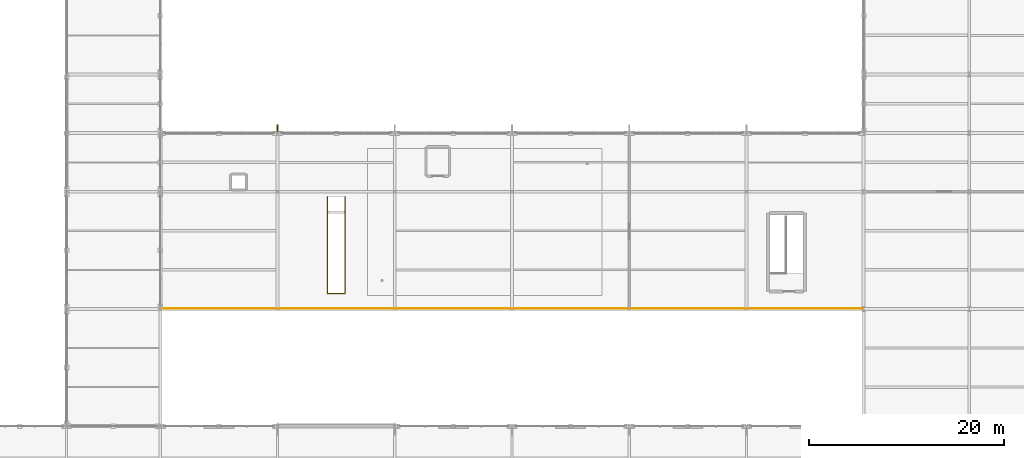
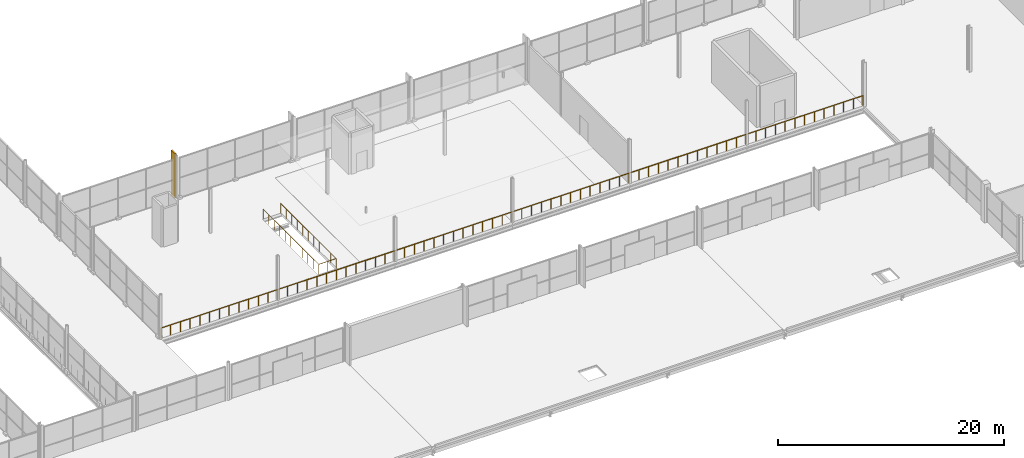
# One storey, part 154 of 159: 2 railings, 1 covering.
"""IFC4 building model written with IfcOpenShell, lengths in metres."""

from ifc_helpers import new_model, si_unit, direction, frame, origin, origin_2d, place, context, subcontext, project, spatial, polyline, circle, outline, extrude, material, layer, layer_set, type_object, element, save


model = new_model("IFC4")

# Units and contexts
model_context = context("Model", 3, precision=1e-05, world=origin(), true_north=direction((0.0, 1.0)))
body_context = subcontext(model_context, "Body", "Model", "MODEL_VIEW")
ifc_project = project(units=[si_unit("LENGTHUNIT", "METRE"), si_unit("AREAUNIT", "SQUARE_METRE"), si_unit("VOLUMEUNIT", "CUBIC_METRE"), si_unit("PLANEANGLEUNIT", "RADIAN"), si_unit("MASSUNIT", "GRAM", prefix="KILO")], contexts=[model_context])

# Site, building, storey
site_placement = place(None, origin())
site = spatial("IfcSite", under=ifc_project, at=site_placement, CompositionType="ELEMENT")
building_placement = place(site_placement, origin())
building = spatial("IfcBuilding", under=site, at=building_placement, Name="Merenkruunu Market Hall", CompositionType="ELEMENT")
storey_placement = place(building_placement, frame((0.0, 0.0, 5.39990234375)))
storey = spatial("IfcBuildingStorey", under=building, at=storey_placement, Name="L01", CompositionType="ELEMENT", Elevation=5.39990234375)

# Covering
ifc_material_1 = material(Name="Precast concrete C40/50", Category="concrete")
ifc_layer = layer(ifc_material_1, 0.139892578125)
ifc_layer_set = layer_set([ifc_layer], Name="Precast concrete C40/50")
covering_type = type_object("IfcCoveringType", Name="Architectural Precast Sun Fin CLD02", PredefinedType="CLADDING", material=ifc_layer_set)
covering_placement = place(storey_placement, origin())
element("IfcCovering", 1, at=covering_placement, inside=storey, type_object=covering_type, Name="FIN-N-L01-055", PredefinedType="CLADDING", context=body_context, shape_type="SweptSolid", body=[
    extrude(outline(polyline([(88.72998046875, 45.718017578125), (88.8701171875, 45.718017578125), (88.8701171875, 46.43994140625), (88.72998046875, 46.43994140625), (88.72998046875, 45.718017578125)])), origin(), (0.0, 0.0, 1.0), 4.800048828125),
])

# Railings
ifc_material_2 = material(Name="Brushed stainless steel", Category="steel")
railing_type = type_object("IfcRailingType", Name="Gallery Balustrade Guard GR01", PredefinedType="BALUSTRADE", material=ifc_material_2)
railing_1_placement = place(storey_placement, frame((93.909912109375, 39.050048828125, 0.0)))
element("IfcRailing", 2, at=railing_1_placement, inside=storey, type_object=railing_type, Name="RAIL-L01-0113", PredefinedType="BALUSTRADE", context=body_context, shape_type="SweptSolid", body=[
    extrude(circle(Radius=0.02392578125, at=origin_2d()), frame((0.0, 0.0, 1.076171875), z_axis=(0.0, -1.0, 0.0), x_axis=(1.0, 0.0, 0.0)), (0.0, 0.0, 1.0), 9.85009765625),
    extrude(circle(Radius=0.02392578125, at=origin_2d()), frame((0.0, -9.85009765625, 1.076171875), z_axis=(1.0, 0.0, 0.0), x_axis=(0.0, 1.0, 0.0)), (0.0, 0.0, 1.0), 1.780029296875),
    extrude(circle(Radius=0.02392578125, at=origin_2d()), frame((1.780029296875, -9.85009765625, 1.076171875), z_axis=(0.0, 1.0, 0.0), x_axis=(-1.0, 0.0, 0.0)), (0.0, 0.0, 1.0), 9.85009765625),
    extrude(circle(Radius=0.02099609375, at=origin_2d()), origin(), (0.0, 0.0, 1.0), 1.052001953125),
    extrude(circle(Radius=0.02099609375, at=origin_2d()), frame((0.0, -0.985107421875, 0.0)), (0.0, 0.0, 1.0), 1.052001953125),
    extrude(circle(Radius=0.02099609375, at=origin_2d()), frame((0.0, -1.969970703125, 0.0)), (0.0, 0.0, 1.0), 1.052001953125),
    extrude(circle(Radius=0.02099609375, at=origin_2d()), frame((0.0, -2.955078125, 0.0)), (0.0, 0.0, 1.0), 1.052001953125),
    extrude(circle(Radius=0.02099609375, at=origin_2d()), frame((0.0, -3.93994140625, 0.0)), (0.0, 0.0, 1.0), 1.052001953125),
    extrude(circle(Radius=0.02099609375, at=origin_2d()), frame((0.0, -4.925048828125, 0.0)), (0.0, 0.0, 1.0), 1.052001953125),
    extrude(circle(Radius=0.02099609375, at=origin_2d()), frame((0.0, -5.91015625, 0.0)), (0.0, 0.0, 1.0), 1.052001953125),
    extrude(circle(Radius=0.02099609375, at=origin_2d()), frame((0.0, -6.89501953125, 0.0)), (0.0, 0.0, 1.0), 1.052001953125),
    extrude(circle(Radius=0.02099609375, at=origin_2d()), frame((0.0, -7.880126953125, 0.0)), (0.0, 0.0, 1.0), 1.052001953125),
    extrude(circle(Radius=0.02099609375, at=origin_2d()), frame((0.0, -8.864990234375, 0.0)), (0.0, 0.0, 1.0), 1.052001953125),
    extrude(circle(Radius=0.02099609375, at=origin_2d()), frame((0.0, -9.85009765625, 0.0)), (0.0, 0.0, 1.0), 1.052001953125),
    extrude(circle(Radius=0.02099609375, at=origin_2d()), frame((0.89013671875, -9.85009765625, 0.0)), (0.0, 0.0, 1.0), 1.052001953125),
    extrude(circle(Radius=0.02099609375, at=origin_2d()), frame((1.780029296875, -9.85009765625, 0.0)), (0.0, 0.0, 1.0), 1.052001953125),
    extrude(circle(Radius=0.02099609375, at=origin_2d()), frame((1.780029296875, -8.864990234375, 0.0)), (0.0, 0.0, 1.0), 1.052001953125),
    extrude(circle(Radius=0.02099609375, at=origin_2d()), frame((1.780029296875, -7.880126953125, 0.0)), (0.0, 0.0, 1.0), 1.052001953125),
    extrude(circle(Radius=0.02099609375, at=origin_2d()), frame((1.780029296875, -6.89501953125, 0.0)), (0.0, 0.0, 1.0), 1.052001953125),
    extrude(circle(Radius=0.02099609375, at=origin_2d()), frame((1.780029296875, -5.91015625, 0.0)), (0.0, 0.0, 1.0), 1.052001953125),
    extrude(circle(Radius=0.02099609375, at=origin_2d()), frame((1.780029296875, -4.925048828125, 0.0)), (0.0, 0.0, 1.0), 1.052001953125),
    extrude(circle(Radius=0.02099609375, at=origin_2d()), frame((1.780029296875, -3.93994140625, 0.0)), (0.0, 0.0, 1.0), 1.052001953125),
    extrude(circle(Radius=0.02099609375, at=origin_2d()), frame((1.780029296875, -2.955078125, 0.0)), (0.0, 0.0, 1.0), 1.052001953125),
    extrude(circle(Radius=0.02099609375, at=origin_2d()), frame((1.780029296875, -1.969970703125, 0.0)), (0.0, 0.0, 1.0), 1.052001953125),
    extrude(circle(Radius=0.02099609375, at=origin_2d()), frame((1.780029296875, -0.985107421875, 0.0)), (0.0, 0.0, 1.0), 1.052001953125),
    extrude(circle(Radius=0.02099609375, at=origin_2d()), frame((1.780029296875, 0.0, 0.0)), (0.0, 0.0, 1.0), 1.052001953125),
])
railing_2_placement = place(storey_placement, frame((76.85009765625, 27.64990234375, 0.0)))
element("IfcRailing", 3, at=railing_2_placement, inside=storey, type_object=railing_type, Name="RAIL-L01-0133", PredefinedType="BALUSTRADE", context=body_context, shape_type="SweptSolid", body=[
    extrude(circle(Radius=0.02392578125, at=origin_2d()), frame((0.0, 0.0, 1.076171875), z_axis=(1.0, 0.0, 0.0), x_axis=(0.0, 1.0, 0.0)), (0.0, 0.0, 1.0), 71.89990234375),
    extrude(circle(Radius=0.02099609375, at=origin_2d()), origin(), (0.0, 0.0, 1.0), 1.052001953125),
    extrude(circle(Radius=0.02099609375, at=origin_2d()), frame((0.99853515625, 0.0, 0.0)), (0.0, 0.0, 1.0), 1.052001953125),
    extrude(circle(Radius=0.02099609375, at=origin_2d()), frame((1.997314453125, 0.0, 0.0)), (0.0, 0.0, 1.0), 1.052001953125),
    extrude(circle(Radius=0.02099609375, at=origin_2d()), frame((2.995849609375, 0.0, 0.0)), (0.0, 0.0, 1.0), 1.052001953125),
    extrude(circle(Radius=0.02099609375, at=origin_2d()), frame((3.994384765625, 0.0, 0.0)), (0.0, 0.0, 1.0), 1.052001953125),
    extrude(circle(Radius=0.02099609375, at=origin_2d()), frame((4.9931640625, 0.0, 0.0)), (0.0, 0.0, 1.0), 1.052001953125),
    extrude(circle(Radius=0.02099609375, at=origin_2d()), frame((5.99169921875, 0.0, 0.0)), (0.0, 0.0, 1.0), 1.052001953125),
    extrude(circle(Radius=0.02099609375, at=origin_2d()), frame((6.990234375, 0.0, 0.0)), (0.0, 0.0, 1.0), 1.052001953125),
    extrude(circle(Radius=0.02099609375, at=origin_2d()), frame((7.98876953125, 0.0, 0.0)), (0.0, 0.0, 1.0), 1.052001953125),
    extrude(circle(Radius=0.02099609375, at=origin_2d()), frame((8.987548828125, 0.0, 0.0)), (0.0, 0.0, 1.0), 1.052001953125),
    extrude(circle(Radius=0.02099609375, at=origin_2d()), frame((9.986083984375, 0.0, 0.0)), (0.0, 0.0, 1.0), 1.052001953125),
    extrude(circle(Radius=0.02099609375, at=origin_2d()), frame((10.984619140625, 0.0, 0.0)), (0.0, 0.0, 1.0), 1.052001953125),
    extrude(circle(Radius=0.02099609375, at=origin_2d()), frame((11.9833984375, 0.0, 0.0)), (0.0, 0.0, 1.0), 1.052001953125),
    extrude(circle(Radius=0.02099609375, at=origin_2d()), frame((12.98193359375, 0.0, 0.0)), (0.0, 0.0, 1.0), 1.052001953125),
    extrude(circle(Radius=0.02099609375, at=origin_2d()), frame((13.98046875, 0.0, 0.0)), (0.0, 0.0, 1.0), 1.052001953125),
    extrude(circle(Radius=0.02099609375, at=origin_2d()), frame((14.979248046875, 0.0, 0.0)), (0.0, 0.0, 1.0), 1.052001953125),
    extrude(circle(Radius=0.02099609375, at=origin_2d()), frame((15.977783203125, 0.0, 0.0)), (0.0, 0.0, 1.0), 1.052001953125),
    extrude(circle(Radius=0.02099609375, at=origin_2d()), frame((16.976318359375, 0.0, 0.0)), (0.0, 0.0, 1.0), 1.052001953125),
    extrude(circle(Radius=0.02099609375, at=origin_2d()), frame((17.97509765625, 0.0, 0.0)), (0.0, 0.0, 1.0), 1.052001953125),
    extrude(circle(Radius=0.02099609375, at=origin_2d()), frame((18.9736328125, 0.0, 0.0)), (0.0, 0.0, 1.0), 1.052001953125),
    extrude(circle(Radius=0.02099609375, at=origin_2d()), frame((19.97216796875, 0.0, 0.0)), (0.0, 0.0, 1.0), 1.052001953125),
    extrude(circle(Radius=0.02099609375, at=origin_2d()), frame((20.970703125, 0.0, 0.0)), (0.0, 0.0, 1.0), 1.052001953125),
    extrude(circle(Radius=0.02099609375, at=origin_2d()), frame((21.969482421875, 0.0, 0.0)), (0.0, 0.0, 1.0), 1.052001953125),
    extrude(circle(Radius=0.02099609375, at=origin_2d()), frame((22.968017578125, 0.0, 0.0)), (0.0, 0.0, 1.0), 1.052001953125),
    extrude(circle(Radius=0.02099609375, at=origin_2d()), frame((23.966552734375, 0.0, 0.0)), (0.0, 0.0, 1.0), 1.052001953125),
    extrude(circle(Radius=0.02099609375, at=origin_2d()), frame((24.96533203125, 0.0, 0.0)), (0.0, 0.0, 1.0), 1.052001953125),
    extrude(circle(Radius=0.02099609375, at=origin_2d()), frame((25.9638671875, 0.0, 0.0)), (0.0, 0.0, 1.0), 1.052001953125),
    extrude(circle(Radius=0.02099609375, at=origin_2d()), frame((26.96240234375, 0.0, 0.0)), (0.0, 0.0, 1.0), 1.052001953125),
    extrude(circle(Radius=0.02099609375, at=origin_2d()), frame((27.961181640625, 0.0, 0.0)), (0.0, 0.0, 1.0), 1.052001953125),
    extrude(circle(Radius=0.02099609375, at=origin_2d()), frame((28.959716796875, 0.0, 0.0)), (0.0, 0.0, 1.0), 1.052001953125),
    extrude(circle(Radius=0.02099609375, at=origin_2d()), frame((29.958251953125, 0.0, 0.0)), (0.0, 0.0, 1.0), 1.052001953125),
    extrude(circle(Radius=0.02099609375, at=origin_2d()), frame((30.956787109375, 0.0, 0.0)), (0.0, 0.0, 1.0), 1.052001953125),
    extrude(circle(Radius=0.02099609375, at=origin_2d()), frame((31.95556640625, 0.0, 0.0)), (0.0, 0.0, 1.0), 1.052001953125),
    extrude(circle(Radius=0.02099609375, at=origin_2d()), frame((32.9541015625, 0.0, 0.0)), (0.0, 0.0, 1.0), 1.052001953125),
    extrude(circle(Radius=0.02099609375, at=origin_2d()), frame((33.95263671875, 0.0, 0.0)), (0.0, 0.0, 1.0), 1.052001953125),
    extrude(circle(Radius=0.02099609375, at=origin_2d()), frame((34.951416015625, 0.0, 0.0)), (0.0, 0.0, 1.0), 1.052001953125),
    extrude(circle(Radius=0.02099609375, at=origin_2d()), frame((35.949951171875, 0.0, 0.0)), (0.0, 0.0, 1.0), 1.052001953125),
    extrude(circle(Radius=0.02099609375, at=origin_2d()), frame((36.948486328125, 0.0, 0.0)), (0.0, 0.0, 1.0), 1.052001953125),
    extrude(circle(Radius=0.02099609375, at=origin_2d()), frame((37.947265625, 0.0, 0.0)), (0.0, 0.0, 1.0), 1.052001953125),
    extrude(circle(Radius=0.02099609375, at=origin_2d()), frame((38.94580078125, 0.0, 0.0)), (0.0, 0.0, 1.0), 1.052001953125),
    extrude(circle(Radius=0.02099609375, at=origin_2d()), frame((39.9443359375, 0.0, 0.0)), (0.0, 0.0, 1.0), 1.052001953125),
    extrude(circle(Radius=0.02099609375, at=origin_2d()), frame((40.943115234375, 0.0, 0.0)), (0.0, 0.0, 1.0), 1.052001953125),
    extrude(circle(Radius=0.02099609375, at=origin_2d()), frame((41.941650390625, 0.0, 0.0)), (0.0, 0.0, 1.0), 1.052001953125),
    extrude(circle(Radius=0.02099609375, at=origin_2d()), frame((42.940185546875, 0.0, 0.0)), (0.0, 0.0, 1.0), 1.052001953125),
    extrude(circle(Radius=0.02099609375, at=origin_2d()), frame((43.938720703125, 0.0, 0.0)), (0.0, 0.0, 1.0), 1.052001953125),
    extrude(circle(Radius=0.02099609375, at=origin_2d()), frame((44.9375, 0.0, 0.0)), (0.0, 0.0, 1.0), 1.052001953125),
    extrude(circle(Radius=0.02099609375, at=origin_2d()), frame((45.93603515625, 0.0, 0.0)), (0.0, 0.0, 1.0), 1.052001953125),
    extrude(circle(Radius=0.02099609375, at=origin_2d()), frame((46.9345703125, 0.0, 0.0)), (0.0, 0.0, 1.0), 1.052001953125),
    extrude(circle(Radius=0.02099609375, at=origin_2d()), frame((47.933349609375, 0.0, 0.0)), (0.0, 0.0, 1.0), 1.052001953125),
    extrude(circle(Radius=0.02099609375, at=origin_2d()), frame((48.931884765625, 0.0, 0.0)), (0.0, 0.0, 1.0), 1.052001953125),
    extrude(circle(Radius=0.02099609375, at=origin_2d()), frame((49.930419921875, 0.0, 0.0)), (0.0, 0.0, 1.0), 1.052001953125),
    extrude(circle(Radius=0.02099609375, at=origin_2d()), frame((50.92919921875, 0.0, 0.0)), (0.0, 0.0, 1.0), 1.052001953125),
    extrude(circle(Radius=0.02099609375, at=origin_2d()), frame((51.927734375, 0.0, 0.0)), (0.0, 0.0, 1.0), 1.052001953125),
    extrude(circle(Radius=0.02099609375, at=origin_2d()), frame((52.92626953125, 0.0, 0.0)), (0.0, 0.0, 1.0), 1.052001953125),
    extrude(circle(Radius=0.02099609375, at=origin_2d()), frame((53.9248046875, 0.0, 0.0)), (0.0, 0.0, 1.0), 1.052001953125),
    extrude(circle(Radius=0.02099609375, at=origin_2d()), frame((54.923583984375, 0.0, 0.0)), (0.0, 0.0, 1.0), 1.052001953125),
    extrude(circle(Radius=0.02099609375, at=origin_2d()), frame((55.922119140625, 0.0, 0.0)), (0.0, 0.0, 1.0), 1.052001953125),
    extrude(circle(Radius=0.02099609375, at=origin_2d()), frame((56.920654296875, 0.0, 0.0)), (0.0, 0.0, 1.0), 1.052001953125),
    extrude(circle(Radius=0.02099609375, at=origin_2d()), frame((57.91943359375, 0.0, 0.0)), (0.0, 0.0, 1.0), 1.052001953125),
    extrude(circle(Radius=0.02099609375, at=origin_2d()), frame((58.91796875, 0.0, 0.0)), (0.0, 0.0, 1.0), 1.052001953125),
    extrude(circle(Radius=0.02099609375, at=origin_2d()), frame((59.91650390625, 0.0, 0.0)), (0.0, 0.0, 1.0), 1.052001953125),
    extrude(circle(Radius=0.02099609375, at=origin_2d()), frame((60.915283203125, 0.0, 0.0)), (0.0, 0.0, 1.0), 1.052001953125),
    extrude(circle(Radius=0.02099609375, at=origin_2d()), frame((61.913818359375, 0.0, 0.0)), (0.0, 0.0, 1.0), 1.052001953125),
    extrude(circle(Radius=0.02099609375, at=origin_2d()), frame((62.912353515625, 0.0, 0.0)), (0.0, 0.0, 1.0), 1.052001953125),
    extrude(circle(Radius=0.02099609375, at=origin_2d()), frame((63.9111328125, 0.0, 0.0)), (0.0, 0.0, 1.0), 1.052001953125),
    extrude(circle(Radius=0.02099609375, at=origin_2d()), frame((64.90966796875, 0.0, 0.0)), (0.0, 0.0, 1.0), 1.052001953125),
    extrude(circle(Radius=0.02099609375, at=origin_2d()), frame((65.908203125, 0.0, 0.0)), (0.0, 0.0, 1.0), 1.052001953125),
    extrude(circle(Radius=0.02099609375, at=origin_2d()), frame((66.90673828125, 0.0, 0.0)), (0.0, 0.0, 1.0), 1.052001953125),
    extrude(circle(Radius=0.02099609375, at=origin_2d()), frame((67.905517578125, 0.0, 0.0)), (0.0, 0.0, 1.0), 1.052001953125),
    extrude(circle(Radius=0.02099609375, at=origin_2d()), frame((68.904052734375, 0.0, 0.0)), (0.0, 0.0, 1.0), 1.052001953125),
    extrude(circle(Radius=0.02099609375, at=origin_2d()), frame((69.902587890625, 0.0, 0.0)), (0.0, 0.0, 1.0), 1.052001953125),
    extrude(circle(Radius=0.02099609375, at=origin_2d()), frame((70.9013671875, 0.0, 0.0)), (0.0, 0.0, 1.0), 1.052001953125),
    extrude(circle(Radius=0.02099609375, at=origin_2d()), frame((71.89990234375, 0.0, 0.0)), (0.0, 0.0, 1.0), 1.052001953125),
])

save(model, "model.ifc")
